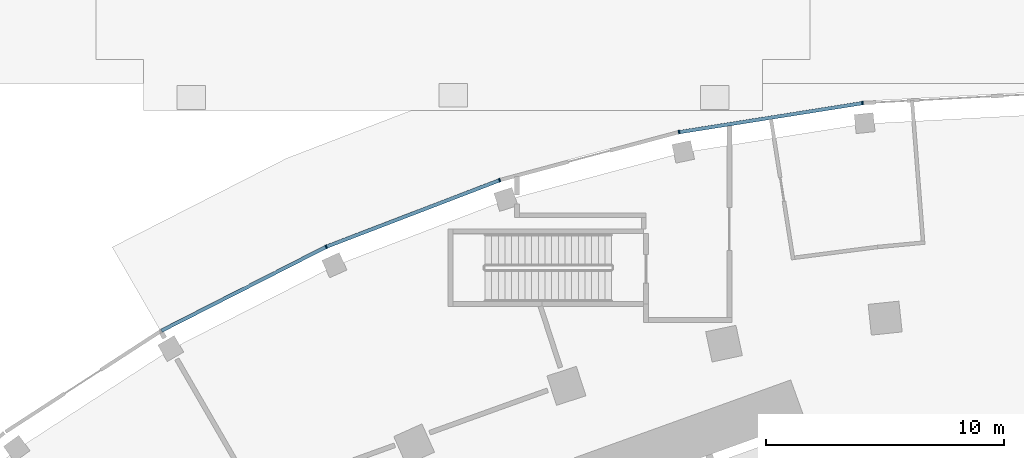
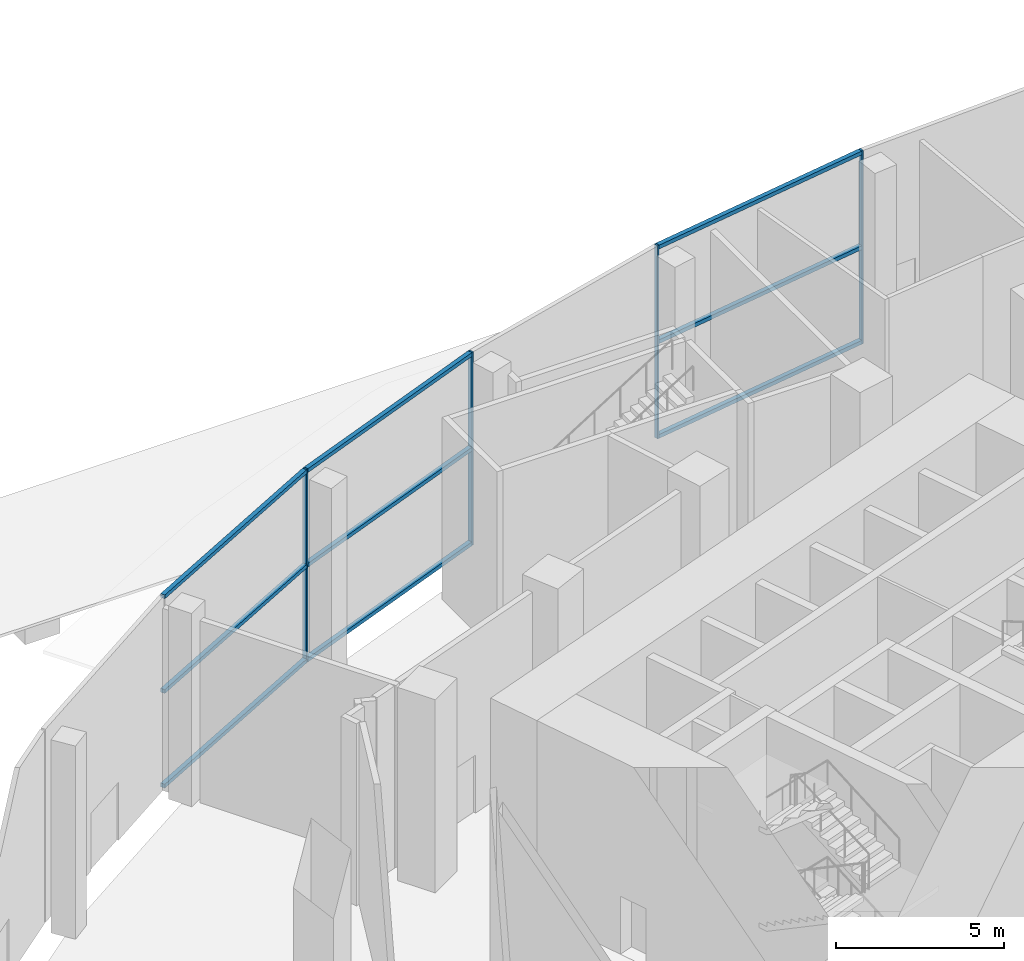
# One storey, part 12 of 60: 13 members, 1 element without a shape of its own.
"""IFC4 building model written with IfcOpenShell, lengths in metres."""

from ifc_helpers import new_model, si_unit, direction, frame, origin, origin_2d, place, context, subcontext, project, spatial, rectangle, extrude, material, layer, layer_set, material_profile, profile_set, type_object, element, aggregate, save


model = new_model("IFC4")

# Units and contexts
model_context = context("Model", 3, precision=1e-05, world=origin(), true_north=direction((0.0, 1.0)))
body_context = subcontext(model_context, "Body", "Model", "MODEL_VIEW")
ifc_project = project(units=[si_unit("LENGTHUNIT", "METRE"), si_unit("AREAUNIT", "SQUARE_METRE"), si_unit("VOLUMEUNIT", "CUBIC_METRE"), si_unit("PLANEANGLEUNIT", "RADIAN"), si_unit("MASSUNIT", "GRAM", prefix="KILO")], contexts=[model_context])

# Site, building, storey
site_placement = place(None, origin())
site = spatial("IfcSite", under=ifc_project, at=site_placement, CompositionType="ELEMENT")
building_placement = place(site_placement, origin())
building = spatial("IfcBuilding", under=site, at=building_placement, Name="Stone Belt Terrace Tower", CompositionType="ELEMENT")
storey_placement = place(building_placement, origin())
storey = spatial("IfcBuildingStorey", under=building, at=storey_placement, Name="L00", CompositionType="ELEMENT", Elevation=0.0)

# Curtain wall, members
ifc_material = material(Name="Aluminium 6063-T6 anodised frame", Category="aluminium")
ifc_layer = layer(ifc_material, 0.14990234375)
ifc_layer_set = layer_set([ifc_layer], Name="CW-D podium shopfront")
curtain_wall_type = type_object("IfcCurtainWallType", Name="CW-D podium shopfront", PredefinedType="NOTDEFINED", material=ifc_layer_set)
curtain_wall_placement = place(storey_placement, origin())
curtain_wall = element("IfcCurtainWall", 1, at=curtain_wall_placement, inside=storey, type_object=curtain_wall_type, Name="CW-D convex face L00", PredefinedType="NOTDEFINED")
ifc_material_profile_1 = material_profile(ifc_material, rectangle(XDim=0.14990234375, YDim=0.06005859375, at=origin_2d()), Name="Aluminium 6063-T6 60x150")
ifc_profile_set_1 = profile_set([ifc_material_profile_1], Name="Aluminium 6063-T6 anodised frame")
member_type_1 = type_object("IfcMemberType", Name="CW-D mullion 60 x 150", PredefinedType="MULLION", material=ifc_profile_set_1)
member_1_placement = place(storey_placement, frame((-7.795166015625, 74.16650390625, 0.0), z_axis=(0.0, 0.0, 1.0), x_axis=(0.104528463268, -0.994521895368, 0.0)))
member_1 = element("IfcMember", 2, at=member_1_placement, type_object=member_type_1, Name="CW-D mullion 14", PredefinedType="MULLION", context=body_context, shape_type="SweptSolid", body=[
    extrude(rectangle(XDim=0.14990234375, YDim=0.06005859375, at=origin_2d()), origin(), (0.0, 0.0, 1.0), 7.0),
])
member_2_placement = place(storey_placement, frame((-15.505126953125, 72.945556640625, 0.0), z_axis=(0.0, 0.0, 1.0), x_axis=(0.207911690818, -0.978147600734, 0.0)))
member_2 = element("IfcMember", 3, at=member_2_placement, type_object=member_type_1, Name="CW-D mullion 15", PredefinedType="MULLION", context=body_context, shape_type="SweptSolid", body=[
    extrude(rectangle(XDim=0.14990234375, YDim=0.06005859375, at=origin_2d()), origin(), (0.0, 0.0, 1.0), 7.0),
])
member_3_placement = place(storey_placement, frame((-23.044921875, 70.925048828125, 0.0), z_axis=(0.0, 0.0, 1.0), x_axis=(0.309016994375, -0.951056516295, 0.0)))
member_3 = element("IfcMember", 4, at=member_3_placement, type_object=member_type_1, Name="CW-D mullion 16", PredefinedType="MULLION", context=body_context, shape_type="SweptSolid", body=[
    extrude(rectangle(XDim=0.14990234375, YDim=0.06005859375, at=origin_2d()), origin(), (0.0, 0.0, 1.0), 7.0),
])
member_4_placement = place(storey_placement, frame((-30.33251953125, 68.127685546875, 0.0), z_axis=(0.0, 0.0, 1.0), x_axis=(0.406736643076, -0.913545457643, 0.0)))
member_4 = element("IfcMember", 5, at=member_4_placement, type_object=member_type_1, Name="CW-D mullion 17", PredefinedType="MULLION", context=body_context, shape_type="SweptSolid", body=[
    extrude(rectangle(XDim=0.14990234375, YDim=0.06005859375, at=origin_2d()), origin(), (0.0, 0.0, 1.0), 7.0),
])
ifc_material_profile_2 = material_profile(ifc_material, rectangle(XDim=0.14990234375, YDim=0.139892578125, at=origin_2d()), Name="Aluminium 6063-T6 150x140")
ifc_profile_set_2 = profile_set([ifc_material_profile_2], Name="Aluminium 6063-T6 anodised frame")
member_type_2 = type_object("IfcMemberType", Name="CW-D transom 140 x 150", PredefinedType="USERDEFINED", material=ifc_profile_set_2)
member_5_placement = place(storey_placement, frame((-7.82861328125, 74.161376953125, 0.070068359375), z_axis=(-0.987685334162, -0.156453445733, 0.0), x_axis=(0.156453445733, -0.987685334162, 0.0)))
member_5 = element("IfcMember", 6, at=member_5_placement, type_object=member_type_2, Name="CW-D transom 14.1", ObjectType="TRANSOM", PredefinedType="USERDEFINED", context=body_context, shape_type="SweptSolid", body=[
    extrude(rectangle(XDim=0.14990234375, YDim=0.139892578125, at=origin_2d()), origin(), (0.0, 0.0, 1.0), 7.73828125),
])
member_6_placement = place(storey_placement, frame((-7.82861328125, 74.161376953125, 3.5), z_axis=(-0.987685334162, -0.156453445733, 0.0), x_axis=(0.156453445733, -0.987685334162, 0.0)))
member_6 = element("IfcMember", 7, at=member_6_placement, type_object=member_type_2, Name="CW-D transom 14.2", ObjectType="TRANSOM", PredefinedType="USERDEFINED", context=body_context, shape_type="SweptSolid", body=[
    extrude(rectangle(XDim=0.14990234375, YDim=0.139892578125, at=origin_2d()), origin(), (0.0, 0.0, 1.0), 7.73828125),
])
member_7_placement = place(storey_placement, frame((-7.82861328125, 74.161376953125, 6.929931640625), z_axis=(-0.987685334162, -0.156453445733, 0.0), x_axis=(0.156453445733, -0.987685334162, 0.0)))
member_7 = element("IfcMember", 8, at=member_7_placement, type_object=member_type_2, Name="CW-D transom 14.3", ObjectType="TRANSOM", PredefinedType="USERDEFINED", context=body_context, shape_type="SweptSolid", body=[
    extrude(rectangle(XDim=0.14990234375, YDim=0.139892578125, at=origin_2d()), origin(), (0.0, 0.0, 1.0), 7.73828125),
])
member_8_placement = place(storey_placement, frame((-23.07666015625, 70.9130859375, 0.070068359375), z_axis=(-0.933575536994, -0.358380686878, 0.0), x_axis=(0.358380686878, -0.933575536994, 0.0)))
member_8 = element("IfcMember", 9, at=member_8_placement, type_object=member_type_2, Name="CW-D transom 16.1", ObjectType="TRANSOM", PredefinedType="USERDEFINED", context=body_context, shape_type="SweptSolid", body=[
    extrude(rectangle(XDim=0.14990234375, YDim=0.139892578125, at=origin_2d()), origin(), (0.0, 0.0, 1.0), 7.738037109375),
])
member_9_placement = place(storey_placement, frame((-23.07666015625, 70.9130859375, 3.5), z_axis=(-0.933575536994, -0.358380686878, 0.0), x_axis=(0.358380686878, -0.933575536994, 0.0)))
member_9 = element("IfcMember", 10, at=member_9_placement, type_object=member_type_2, Name="CW-D transom 16.2", ObjectType="TRANSOM", PredefinedType="USERDEFINED", context=body_context, shape_type="SweptSolid", body=[
    extrude(rectangle(XDim=0.14990234375, YDim=0.139892578125, at=origin_2d()), origin(), (0.0, 0.0, 1.0), 7.738037109375),
])
member_10_placement = place(storey_placement, frame((-23.07666015625, 70.9130859375, 6.929931640625), z_axis=(-0.933575536994, -0.358380686878, 0.0), x_axis=(0.358380686878, -0.933575536994, 0.0)))
member_10 = element("IfcMember", 11, at=member_10_placement, type_object=member_type_2, Name="CW-D transom 16.3", ObjectType="TRANSOM", PredefinedType="USERDEFINED", context=body_context, shape_type="SweptSolid", body=[
    extrude(rectangle(XDim=0.14990234375, YDim=0.139892578125, at=origin_2d()), origin(), (0.0, 0.0, 1.0), 7.738037109375),
])
member_11_placement = place(storey_placement, frame((-30.362548828125, 68.1123046875, 0.070068359375), z_axis=(-0.891013010183, -0.453977770034, 0.0), x_axis=(0.453977770034, -0.891013010183, 0.0)))
member_11 = element("IfcMember", 12, at=member_11_placement, type_object=member_type_2, Name="CW-D transom 17.1", ObjectType="TRANSOM", PredefinedType="USERDEFINED", context=body_context, shape_type="SweptSolid", body=[
    extrude(rectangle(XDim=0.14990234375, YDim=0.139892578125, at=origin_2d()), origin(), (0.0, 0.0, 1.0), 7.738037109375),
])
member_12_placement = place(storey_placement, frame((-30.362548828125, 68.1123046875, 3.5), z_axis=(-0.891013010183, -0.453977770034, 0.0), x_axis=(0.453977770034, -0.891013010183, 0.0)))
member_12 = element("IfcMember", 13, at=member_12_placement, type_object=member_type_2, Name="CW-D transom 17.2", ObjectType="TRANSOM", PredefinedType="USERDEFINED", context=body_context, shape_type="SweptSolid", body=[
    extrude(rectangle(XDim=0.14990234375, YDim=0.139892578125, at=origin_2d()), origin(), (0.0, 0.0, 1.0), 7.738037109375),
])
member_13_placement = place(storey_placement, frame((-30.362548828125, 68.1123046875, 6.929931640625), z_axis=(-0.891013010183, -0.453977770034, 0.0), x_axis=(0.453977770034, -0.891013010183, 0.0)))
member_13 = element("IfcMember", 14, at=member_13_placement, type_object=member_type_2, Name="CW-D transom 17.3", ObjectType="TRANSOM", PredefinedType="USERDEFINED", context=body_context, shape_type="SweptSolid", body=[
    extrude(rectangle(XDim=0.14990234375, YDim=0.139892578125, at=origin_2d()), origin(), (0.0, 0.0, 1.0), 7.738037109375),
])
aggregate(curtain_wall, [member_1, member_2, member_3, member_4, member_5, member_6, member_7, member_8, member_9, member_10, member_11, member_12, member_13])

save(model, "model.ifc")
